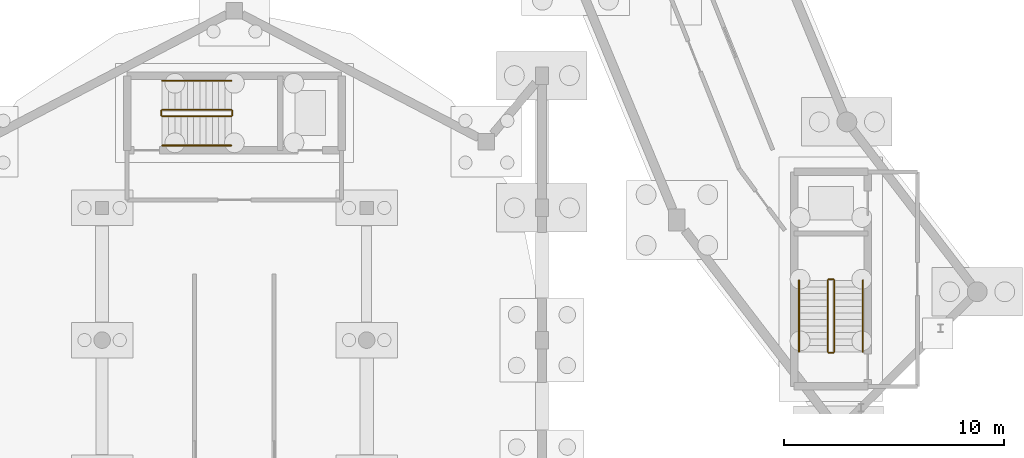
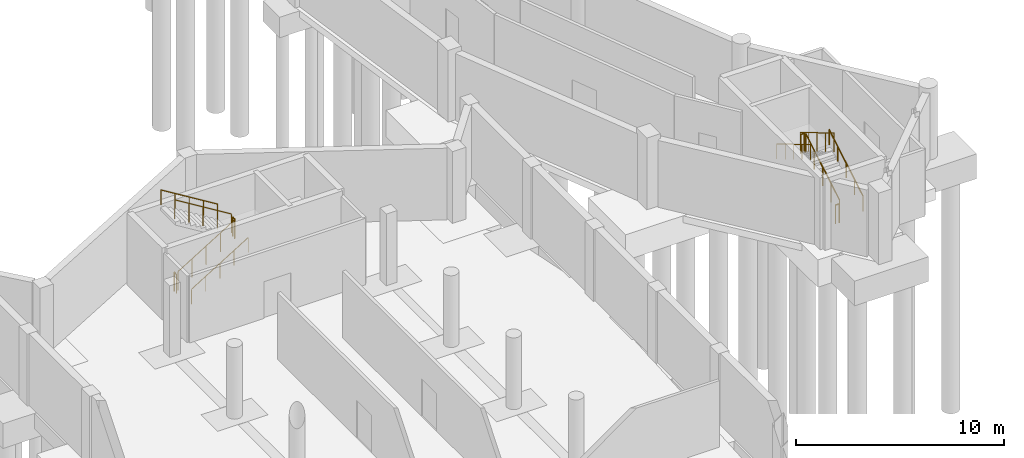
# One storey, part 38 of 43: 12 railings.
"""IFC4 building model written with IfcOpenShell, lengths in metres."""

from ifc_helpers import new_model, si_unit, direction, frame, origin, origin_2d, place, context, subcontext, project, spatial, circle, extrude, material, type_object, element, save


model = new_model("IFC4")

# Units and contexts
model_context = context("Model", 3, precision=1e-05, world=origin(), true_north=direction((0.0, 1.0)))
body_context = subcontext(model_context, "Body", "Model", "MODEL_VIEW")
ifc_project = project(units=[si_unit("LENGTHUNIT", "METRE"), si_unit("AREAUNIT", "SQUARE_METRE"), si_unit("VOLUMEUNIT", "CUBIC_METRE"), si_unit("PLANEANGLEUNIT", "RADIAN"), si_unit("MASSUNIT", "GRAM", prefix="KILO")], contexts=[model_context])

# Site, building, storey
site_placement = place(None, origin())
site = spatial("IfcSite", under=ifc_project, at=site_placement, CompositionType="ELEMENT")
building_placement = place(site_placement, origin())
building = spatial("IfcBuilding", under=site, at=building_placement, Name="Vespera Passage Community Centre", CompositionType="ELEMENT")
storey_placement = place(building_placement, frame((0.0, 0.0, -4.199951171875)))
storey = spatial("IfcBuildingStorey", under=building, at=storey_placement, Name="B1", CompositionType="ELEMENT", Elevation=-4.199951171875)

# Railings
ifc_material_1 = material(Name="Steel ASTM A500 Grade C", Category="steel")
railing_type_1 = type_object("IfcRailingType", Name="RL-HAND-900I", PredefinedType="HANDRAIL", material=ifc_material_1)
railing_1_placement = place(storey_placement, frame((46.510986328125, 36.469970703125, 0.175048828125)))
element("IfcRailing", 1, at=railing_1_placement, inside=storey, type_object=railing_type_1, Name="B1 ST05 stair handrail 1", PredefinedType="HANDRAIL", context=body_context, shape_type="SweptSolid", body=[
    extrude(circle(Radius=0.02392578125, at=origin_2d()), frame((0.0, 0.0, 0.8759765625), z_axis=(0.0, 0.860085452069, 0.510149992786), x_axis=(-1.0, 0.0, 0.0)), (0.0, 0.0, 1.0), 3.77294921875),
    extrude(circle(Radius=0.02099609375, at=origin_2d()), origin(), (0.0, 0.0, 1.0), 0.851806640625),
    extrude(circle(Radius=0.02099609375, at=origin_2d()), frame((0.0, 0.811279296875, 0.481201171875)), (0.0, 0.0, 1.0), 0.851806640625),
    extrude(circle(Radius=0.02099609375, at=origin_2d()), frame((0.0, 1.62255859375, 0.96240234375)), (0.0, 0.0, 1.0), 0.851806640625),
    extrude(circle(Radius=0.02099609375, at=origin_2d()), frame((0.0, 2.433837890625, 1.443603515625)), (0.0, 0.0, 1.0), 0.851806640625),
    extrude(circle(Radius=0.02099609375, at=origin_2d()), frame((0.0, 3.2451171875, 1.9248046875)), (0.0, 0.0, 1.0), 0.851806640625),
])
railing_2_placement = place(storey_placement, frame((43.611083984375, 39.715087890625, 2.27490234375)))
element("IfcRailing", 2, at=railing_2_placement, inside=storey, type_object=railing_type_1, Name="B1 ST05 stair handrail 2", PredefinedType="HANDRAIL", context=body_context, shape_type="SweptSolid", body=[
    extrude(circle(Radius=0.02392578125, at=origin_2d()), frame((0.0, 0.0, 0.8759765625), z_axis=(0.0, -0.860057060016, 0.510197857224), x_axis=(1.0, 0.0, 0.0)), (0.0, 0.0, 1.0), 3.773193359375),
    extrude(circle(Radius=0.02099609375, at=origin_2d()), origin(), (0.0, 0.0, 1.0), 0.851806640625),
    extrude(circle(Radius=0.02099609375, at=origin_2d()), frame((0.0, -0.811279296875, 0.481201171875)), (0.0, 0.0, 1.0), 0.851806640625),
    extrude(circle(Radius=0.02099609375, at=origin_2d()), frame((0.0, -1.62255859375, 0.96240234375)), (0.0, 0.0, 1.0), 0.851806640625),
    extrude(circle(Radius=0.02099609375, at=origin_2d()), frame((0.0, -2.433837890625, 1.44384765625)), (0.0, 0.0, 1.0), 0.851806640625),
    extrude(circle(Radius=0.02099609375, at=origin_2d()), frame((0.0, -3.2451171875, 1.925048828125)), (0.0, 0.0, 1.0), 0.851806640625),
])
railing_3_placement = place(storey_placement, frame((14.72509765625, 45.830078125, 0.175048828125)))
element("IfcRailing", 3, at=railing_3_placement, inside=storey, type_object=railing_type_1, Name="B1 ST01 stair handrail 1", PredefinedType="HANDRAIL", context=body_context, shape_type="SweptSolid", body=[
    extrude(circle(Radius=0.02392578125, at=origin_2d()), frame((0.0, 0.0, 0.8759765625), z_axis=(0.852195625947, 0.0, 0.523223293744), x_axis=(0.0, 1.0, 0.0)), (0.0, 0.0, 1.0), 3.6787109375),
    extrude(circle(Radius=0.02099609375, at=origin_2d()), origin(), (0.0, 0.0, 1.0), 0.851806640625),
    extrude(circle(Radius=0.02099609375, at=origin_2d()), frame((0.78369140625, 0.0, 0.481201171875)), (0.0, 0.0, 1.0), 0.851806640625),
    extrude(circle(Radius=0.02099609375, at=origin_2d()), frame((1.5673828125, 0.0, 0.96240234375)), (0.0, 0.0, 1.0), 0.851806640625),
    extrude(circle(Radius=0.02099609375, at=origin_2d()), frame((2.351318359375, 0.0, 1.443603515625)), (0.0, 0.0, 1.0), 0.851806640625),
    extrude(circle(Radius=0.02099609375, at=origin_2d()), frame((3.135009765625, 0.0, 1.9248046875)), (0.0, 0.0, 1.0), 0.851806640625),
])
railing_4_placement = place(storey_placement, frame((17.860107421875, 48.77001953125, 2.27490234375)))
element("IfcRailing", 4, at=railing_4_placement, inside=storey, type_object=railing_type_1, Name="B1 ST01 stair handrail 2", PredefinedType="HANDRAIL", context=body_context, shape_type="SweptSolid", body=[
    extrude(circle(Radius=0.02392578125, at=origin_2d()), frame((0.0, 0.0, 0.8759765625), z_axis=(-0.852166034122, 0.0, 0.523271488128), x_axis=(0.0, -1.0, 0.0)), (0.0, 0.0, 1.0), 3.678955078125),
    extrude(circle(Radius=0.02099609375, at=origin_2d()), origin(), (0.0, 0.0, 1.0), 0.851806640625),
    extrude(circle(Radius=0.02099609375, at=origin_2d()), frame((-0.78369140625, 0.0, 0.481201171875)), (0.0, 0.0, 1.0), 0.851806640625),
    extrude(circle(Radius=0.02099609375, at=origin_2d()), frame((-1.5673828125, 0.0, 0.96240234375)), (0.0, 0.0, 1.0), 0.851806640625),
    extrude(circle(Radius=0.02099609375, at=origin_2d()), frame((-2.351318359375, 0.0, 1.44384765625)), (0.0, 0.0, 1.0), 0.851806640625),
    extrude(circle(Radius=0.02099609375, at=origin_2d()), frame((-3.135009765625, 0.0, 1.925048828125)), (0.0, 0.0, 1.0), 0.851806640625),
])
ifc_material_2 = material(Name="Steel ASTM A500 Grade C", Category="steel")
railing_type_2 = type_object("IfcRailingType", Name="RL-STAIR-1100I", PredefinedType="GUARDRAIL", material=ifc_material_2)
railing_5_placement = place(storey_placement, frame((45.2109375, 36.469970703125, 0.175048828125)))
element("IfcRailing", 5, at=railing_5_placement, inside=storey, type_object=railing_type_2, Name="B1 ST05 stair guard 1", PredefinedType="GUARDRAIL", context=body_context, shape_type="SweptSolid", body=[
    extrude(circle(Radius=0.02392578125, at=origin_2d()), frame((0.0, 0.0, 1.09619140625), z_axis=(0.0, 0.860085452069, 0.510149992786), x_axis=(-1.0, 0.0, 0.0)), (0.0, 0.0, 1.0), 3.77294921875),
    extrude(circle(Radius=0.02099609375, at=origin_2d()), origin(), (0.0, 0.0, 1.0), 1.072021484375),
    extrude(circle(Radius=0.02099609375, at=origin_2d()), frame((0.0, 0.811279296875, 0.481201171875)), (0.0, 0.0, 1.0), 1.072021484375),
    extrude(circle(Radius=0.02099609375, at=origin_2d()), frame((0.0, 1.62255859375, 0.96240234375)), (0.0, 0.0, 1.0), 1.072021484375),
    extrude(circle(Radius=0.02099609375, at=origin_2d()), frame((0.0, 2.433837890625, 1.443603515625)), (0.0, 0.0, 1.0), 1.072021484375),
    extrude(circle(Radius=0.02099609375, at=origin_2d()), frame((0.0, 3.2451171875, 1.9248046875)), (0.0, 0.0, 1.0), 1.072021484375),
])
railing_6_placement = place(storey_placement, frame((45.160888671875, 39.764892578125, 2.099853515625)))
element("IfcRailing", 6, at=railing_6_placement, inside=storey, type_object=railing_type_2, Name="B1 ST05 stair guard 2", PredefinedType="GUARDRAIL", context=body_context, shape_type="SweptSolid", body=[
    extrude(circle(Radius=0.02392578125, at=origin_2d()), frame((0.0, 0.0, 1.09619140625), z_axis=(-1.0, 0.0, 0.0), x_axis=(0.0, -1.0, 0.0)), (0.0, 0.0, 1.0), 0.199951171875),
    extrude(circle(Radius=0.02099609375, at=origin_2d()), origin(), (0.0, 0.0, 1.0), 1.072021484375),
    extrude(circle(Radius=0.02099609375, at=origin_2d()), frame((-0.199951171875, 0.0, 0.0)), (0.0, 0.0, 1.0), 1.072021484375),
])
railing_7_placement = place(storey_placement, frame((44.910888671875, 39.715087890625, 2.27490234375)))
element("IfcRailing", 7, at=railing_7_placement, inside=storey, type_object=railing_type_2, Name="B1 ST05 stair guard 3", PredefinedType="GUARDRAIL", context=body_context, shape_type="SweptSolid", body=[
    extrude(circle(Radius=0.02392578125, at=origin_2d()), frame((0.0, 0.0, 1.09619140625), z_axis=(0.0, -0.860057060016, 0.510197857224), x_axis=(1.0, 0.0, 0.0)), (0.0, 0.0, 1.0), 3.773193359375),
    extrude(circle(Radius=0.02099609375, at=origin_2d()), origin(), (0.0, 0.0, 1.0), 1.072021484375),
    extrude(circle(Radius=0.02099609375, at=origin_2d()), frame((0.0, -0.811279296875, 0.481201171875)), (0.0, 0.0, 1.0), 1.072021484375),
    extrude(circle(Radius=0.02099609375, at=origin_2d()), frame((0.0, -1.62255859375, 0.96240234375)), (0.0, 0.0, 1.0), 1.072021484375),
    extrude(circle(Radius=0.02099609375, at=origin_2d()), frame((0.0, -2.433837890625, 1.44384765625)), (0.0, 0.0, 1.0), 1.072021484375),
    extrude(circle(Radius=0.02099609375, at=origin_2d()), frame((0.0, -3.2451171875, 1.925048828125)), (0.0, 0.0, 1.0), 1.072021484375),
])
railing_8_placement = place(storey_placement, frame((45.160888671875, 36.419921875, 0.0)))
element("IfcRailing", 8, at=railing_8_placement, inside=storey, type_object=railing_type_2, Name="B1 ST05 stair guard 4", PredefinedType="GUARDRAIL", context=body_context, shape_type="SweptSolid", body=[
    extrude(circle(Radius=0.02392578125, at=origin_2d()), frame((0.0, 0.0, 1.09619140625), z_axis=(-1.0, 0.0, 0.0), x_axis=(0.0, -1.0, 0.0)), (0.0, 0.0, 1.0), 0.199951171875),
    extrude(circle(Radius=0.02099609375, at=origin_2d()), origin(), (0.0, 0.0, 1.0), 1.072021484375),
    extrude(circle(Radius=0.02099609375, at=origin_2d()), frame((-0.199951171875, 0.0, 0.0)), (0.0, 0.0, 1.0), 1.072021484375),
])
railing_9_placement = place(storey_placement, frame((14.72509765625, 47.14990234375, 0.175048828125)))
element("IfcRailing", 9, at=railing_9_placement, inside=storey, type_object=railing_type_2, Name="B1 ST01 stair guard 1", PredefinedType="GUARDRAIL", context=body_context, shape_type="SweptSolid", body=[
    extrude(circle(Radius=0.02392578125, at=origin_2d()), frame((0.0, 0.0, 1.09619140625), z_axis=(0.852195625947, 0.0, 0.523223293744), x_axis=(0.0, 1.0, 0.0)), (0.0, 0.0, 1.0), 3.6787109375),
    extrude(circle(Radius=0.02099609375, at=origin_2d()), origin(), (0.0, 0.0, 1.0), 1.072021484375),
    extrude(circle(Radius=0.02099609375, at=origin_2d()), frame((0.78369140625, 0.0, 0.481201171875)), (0.0, 0.0, 1.0), 1.072021484375),
    extrude(circle(Radius=0.02099609375, at=origin_2d()), frame((1.5673828125, 0.0, 0.96240234375)), (0.0, 0.0, 1.0), 1.072021484375),
    extrude(circle(Radius=0.02099609375, at=origin_2d()), frame((2.351318359375, 0.0, 1.443603515625)), (0.0, 0.0, 1.0), 1.072021484375),
    extrude(circle(Radius=0.02099609375, at=origin_2d()), frame((3.135009765625, 0.0, 1.9248046875)), (0.0, 0.0, 1.0), 1.072021484375),
])
railing_10_placement = place(storey_placement, frame((17.909912109375, 47.199951171875, 2.099853515625)))
element("IfcRailing", 10, at=railing_10_placement, inside=storey, type_object=railing_type_2, Name="B1 ST01 stair guard 2", PredefinedType="GUARDRAIL", context=body_context, shape_type="SweptSolid", body=[
    extrude(circle(Radius=0.02392578125, at=origin_2d()), frame((0.0, 0.0, 1.09619140625), z_axis=(0.0, 1.0, 0.0), x_axis=(-1.0, 0.0, 0.0)), (0.0, 0.0, 1.0), 0.199951171875),
    extrude(circle(Radius=0.02099609375, at=origin_2d()), origin(), (0.0, 0.0, 1.0), 1.072021484375),
    extrude(circle(Radius=0.02099609375, at=origin_2d()), frame((0.0, 0.199951171875, 0.0)), (0.0, 0.0, 1.0), 1.072021484375),
])
railing_11_placement = place(storey_placement, frame((17.860107421875, 47.449951171875, 2.27490234375)))
element("IfcRailing", 11, at=railing_11_placement, inside=storey, type_object=railing_type_2, Name="B1 ST01 stair guard 3", PredefinedType="GUARDRAIL", context=body_context, shape_type="SweptSolid", body=[
    extrude(circle(Radius=0.02392578125, at=origin_2d()), frame((0.0, 0.0, 1.09619140625), z_axis=(-0.852166034122, 0.0, 0.523271488128), x_axis=(0.0, -1.0, 0.0)), (0.0, 0.0, 1.0), 3.678955078125),
    extrude(circle(Radius=0.02099609375, at=origin_2d()), origin(), (0.0, 0.0, 1.0), 1.072021484375),
    extrude(circle(Radius=0.02099609375, at=origin_2d()), frame((-0.78369140625, 0.0, 0.481201171875)), (0.0, 0.0, 1.0), 1.072021484375),
    extrude(circle(Radius=0.02099609375, at=origin_2d()), frame((-1.5673828125, 0.0, 0.96240234375)), (0.0, 0.0, 1.0), 1.072021484375),
    extrude(circle(Radius=0.02099609375, at=origin_2d()), frame((-2.351318359375, 0.0, 1.44384765625)), (0.0, 0.0, 1.0), 1.072021484375),
    extrude(circle(Radius=0.02099609375, at=origin_2d()), frame((-3.135009765625, 0.0, 1.925048828125)), (0.0, 0.0, 1.0), 1.072021484375),
])
railing_12_placement = place(storey_placement, frame((14.675048828125, 47.199951171875, 0.0)))
element("IfcRailing", 12, at=railing_12_placement, inside=storey, type_object=railing_type_2, Name="B1 ST01 stair guard 4", PredefinedType="GUARDRAIL", context=body_context, shape_type="SweptSolid", body=[
    extrude(circle(Radius=0.02392578125, at=origin_2d()), frame((0.0, 0.0, 1.09619140625), z_axis=(0.0, 1.0, 0.0), x_axis=(-1.0, 0.0, 0.0)), (0.0, 0.0, 1.0), 0.199951171875),
    extrude(circle(Radius=0.02099609375, at=origin_2d()), origin(), (0.0, 0.0, 1.0), 1.072021484375),
    extrude(circle(Radius=0.02099609375, at=origin_2d()), frame((0.0, 0.199951171875, 0.0)), (0.0, 0.0, 1.0), 1.072021484375),
])

save(model, "model.ifc")
